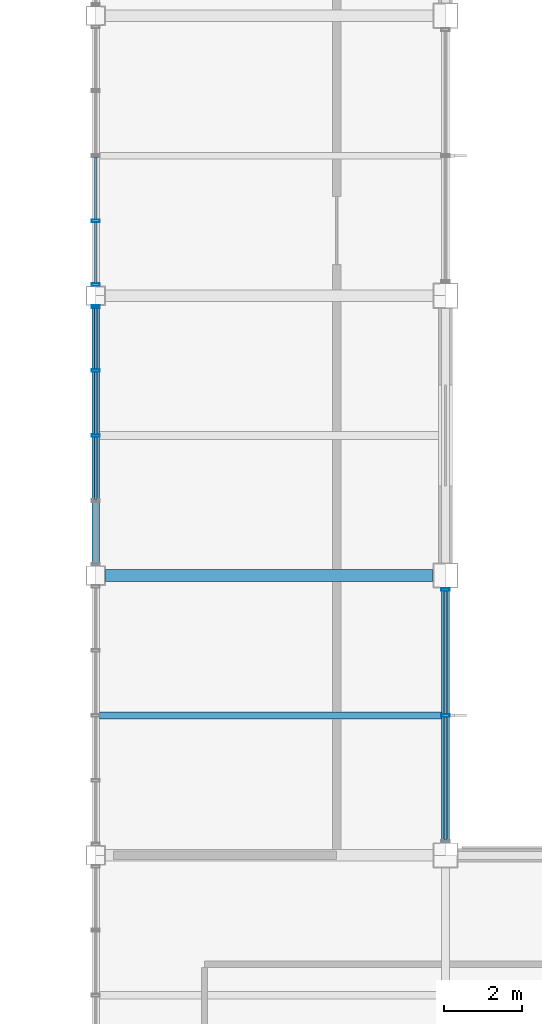
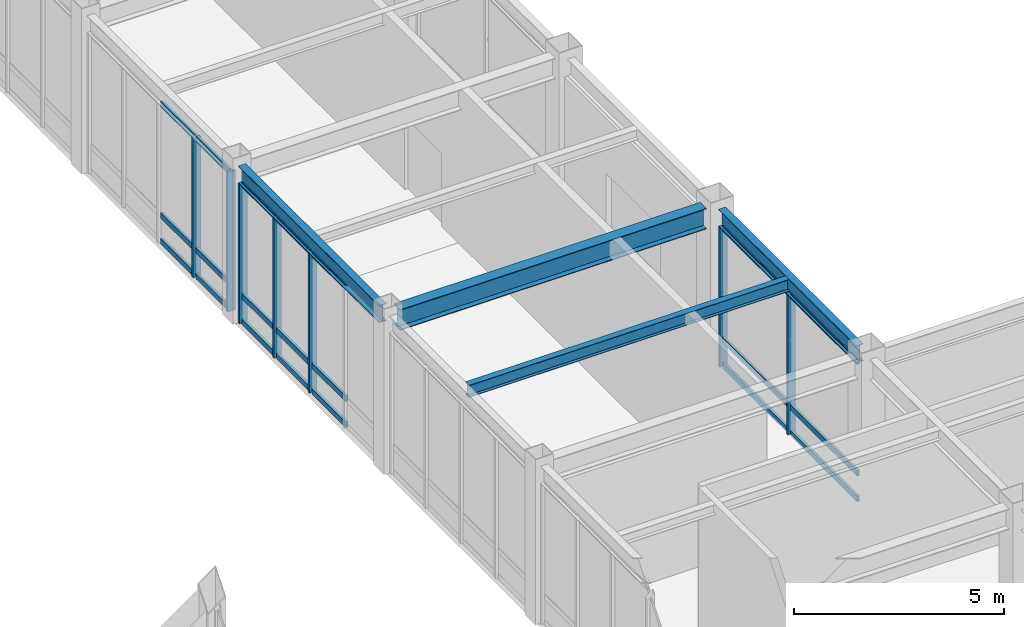
# One storey, part 31 of 112: 28 members, 4 beams, 3 elements without a shape of their own.
"""IFC4 building model written with IfcOpenShell, lengths in metres."""

from ifc_helpers import new_model, si_unit, direction, frame, origin, origin_2d, place, context, subcontext, project, spatial, hollow_rectangle, i_section, extrude, material, material_profile, profile_set, type_object, element, aggregate, save


model = new_model("IFC4")

# Units and contexts
model_context = context("Model", 3, precision=1e-05, world=origin(), true_north=direction((0.0, 1.0)))
body_context = subcontext(model_context, "Body", "Model", "MODEL_VIEW")
ifc_project = project(units=[si_unit("LENGTHUNIT", "METRE"), si_unit("AREAUNIT", "SQUARE_METRE"), si_unit("VOLUMEUNIT", "CUBIC_METRE"), si_unit("PLANEANGLEUNIT", "RADIAN"), si_unit("MASSUNIT", "GRAM", prefix="KILO")], contexts=[model_context])

# Site, building, storey
site_placement = place(None, origin())
site = spatial("IfcSite", under=ifc_project, at=site_placement, CompositionType="ELEMENT")
building_placement = place(site_placement, origin())
building = spatial("IfcBuilding", under=site, at=building_placement, Name="Kazanami Central Library", CompositionType="ELEMENT")
storey_placement = place(building_placement, origin())
storey = spatial("IfcBuildingStorey", under=building, at=storey_placement, Name="L01", CompositionType="ELEMENT", Elevation=0.0)

# Beams
ifc_material_1 = material(Name="Steel SN400B (235 MPa)", Category="steel")
ifc_material_profile_1 = material_profile(ifc_material_1, i_section(OverallWidth=0.175048828125, OverallDepth=0.35009765625, WebThickness=0.007080078125, FlangeThickness=0.010986328125, at=origin_2d()), Name="H-350x175x7x11")
ifc_profile_set_1 = profile_set([ifc_material_profile_1], Name="Steel SN400B (235 MPa)")
beam_type_1 = type_object("IfcBeamType", Name="BM-B-S2", PredefinedType="JOIST", material=ifc_profile_set_1)
beam_1_placement = place(storey_placement, frame((45.097900390625, 39.60009765625, 4.3798828125), z_axis=(1.0, 0.0, 0.0), x_axis=(0.0, 1.0, 0.0)))
element("IfcBeam", 1, at=beam_1_placement, inside=storey, type_object=beam_type_1, Name="Composite Secondary Joist B-S2 L01 Bay 6/F.1", PredefinedType="JOIST", context=body_context, shape_type="SweptSolid", body=[
    extrude(i_section(OverallWidth=0.175048828125, OverallDepth=0.35009765625, WebThickness=0.007080078125, FlangeThickness=0.010986328125, at=origin_2d()), origin(), (0.0, 0.0, 1.0), 8.80419921875),
])
ifc_material_2 = material(Name="Steel SN490B (325 MPa)", Category="steel")
ifc_material_profile_2 = material_profile(ifc_material_2, i_section(OverallWidth=0.300048828125, OverallDepth=0.60009765625, WebThickness=0.011962890625, FlangeThickness=0.02001953125, at=origin_2d()), Name="H-600x300x12x20")
ifc_profile_set_2 = profile_set([ifc_material_profile_2], Name="Steel SN490B (325 MPa)")
beam_type_2 = type_object("IfcBeamType", Name="BM-G-X1", PredefinedType="BEAM", material=ifc_profile_set_2)
beam_2_placement = place(storey_placement, frame((45.248046875, 43.199951171875, 4.2548828125), z_axis=(1.0, 0.0, 0.0), x_axis=(0.0, 1.0, 0.0)))
element("IfcBeam", 2, at=beam_2_placement, inside=storey, type_object=beam_type_2, Name="Girder G-X1 L01 G/6-7", PredefinedType="BEAM", context=body_context, shape_type="SweptSolid", body=[
    extrude(i_section(OverallWidth=0.300048828125, OverallDepth=0.60009765625, WebThickness=0.011962890625, FlangeThickness=0.02001953125, at=origin_2d()), origin(), (0.0, 0.0, 1.0), 8.428955078125),
])
ifc_material_profile_3 = material_profile(ifc_material_2, i_section(OverallWidth=0.199951171875, OverallDepth=0.5, WebThickness=0.010009765625, FlangeThickness=0.01611328125, at=origin_2d()), Name="H-500x200x10x16")
ifc_profile_set_3 = profile_set([ifc_material_profile_3], Name="Steel SN490B (325 MPa)")
beam_type_3 = type_object("IfcBeamType", Name="BM-SP-1", PredefinedType="SPANDREL", material=ifc_profile_set_3)
beam_3_placement = place(storey_placement, frame((45.0, 43.447998046875, 4.304931640625), z_axis=(0.0, 1.0, 0.0), x_axis=(-1.0, 0.0, 0.0)))
element("IfcBeam", 3, at=beam_3_placement, inside=storey, type_object=beam_type_3, Name="Girder SP-1 L01 6/G-H", PredefinedType="SPANDREL", context=body_context, shape_type="SweptSolid", body=[
    extrude(i_section(OverallWidth=0.199951171875, OverallDepth=0.5, WebThickness=0.010009765625, FlangeThickness=0.01611328125, at=origin_2d()), origin(), (0.0, 0.0, 1.0), 6.7041015625),
])
beam_4_placement = place(storey_placement, frame((54.0, 36.322998046875, 4.304931640625), z_axis=(0.0, 1.0, 0.0), x_axis=(-1.0, 0.0, 0.0)))
element("IfcBeam", 4, at=beam_4_placement, inside=storey, type_object=beam_type_3, Name="Girder SP-1 L01 7/F-G", PredefinedType="SPANDREL", context=body_context, shape_type="SweptSolid", body=[
    extrude(i_section(OverallWidth=0.199951171875, OverallDepth=0.5, WebThickness=0.010009765625, FlangeThickness=0.01611328125, at=origin_2d()), origin(), (0.0, 0.0, 1.0), 6.553955078125),
])

# Curtain wall, members
ifc_material_3 = material(Name="Acid-Etched Low-E Laminated Glass", Category="glass")
curtain_wall_type_1 = type_object("IfcCurtainWallType", Name="CW-6700x4055-M180", PredefinedType="USERDEFINED", material=ifc_material_3)
curtain_wall_1_placement = place(storey_placement, origin())
curtain_wall_1 = element("IfcCurtainWall", 5, at=curtain_wall_1_placement, inside=storey, type_object=curtain_wall_type_1, Name="Covered Link Bridge Curtain Wall CW-09 L01 W-6-06", ObjectType="UNITISED CURTAIN WALL", PredefinedType="USERDEFINED")
ifc_material_4 = material(Name="Anodised Aluminium A6063-T5", Category="aluminium")
ifc_material_profile_4 = material_profile(ifc_material_4, hollow_rectangle(XDim=0.070068359375, YDim=0.2099609375, WallThickness=0.0048828125, at=origin_2d()), Name="ALU-MULL-70x210x5")
ifc_profile_set_4 = profile_set([ifc_material_profile_4], Name="Anodised Aluminium A6063-T5")
member_type_1 = type_object("IfcMemberType", Name="MEM-CW-M1", PredefinedType="MULLION", material=ifc_profile_set_4)
member_1_placement = place(storey_placement, frame((45.0, 46.800048828125, 0.0), z_axis=(0.0, 0.0, 1.0), x_axis=(0.0, 1.0, 0.0)))
member_1 = element("IfcMember", 6, at=member_1_placement, type_object=member_type_1, Name="CW-09 mullion 3", PredefinedType="MULLION", context=body_context, shape_type="SweptSolid", body=[
    extrude(hollow_rectangle(XDim=0.070068359375, YDim=0.2099609375, WallThickness=0.0048828125, at=origin_2d()), origin(), (0.0, 0.0, 1.0), 4.054931640625),
])
member_2_placement = place(storey_placement, frame((45.0, 48.47509765625, 0.0), z_axis=(0.0, 0.0, 1.0), x_axis=(0.0, 1.0, 0.0)))
member_2 = element("IfcMember", 7, at=member_2_placement, type_object=member_type_1, Name="CW-09 mullion 4", PredefinedType="MULLION", context=body_context, shape_type="SweptSolid", body=[
    extrude(hollow_rectangle(XDim=0.070068359375, YDim=0.2099609375, WallThickness=0.0048828125, at=origin_2d()), origin(), (0.0, 0.0, 1.0), 4.054931640625),
])
member_3_placement = place(storey_placement, frame((45.0, 50.114990234375, 0.0), z_axis=(0.0, 0.0, 1.0), x_axis=(0.0, 1.0, 0.0)))
member_3 = element("IfcMember", 8, at=member_3_placement, type_object=member_type_1, Name="CW-09 mullion 5", PredefinedType="MULLION", context=body_context, shape_type="SweptSolid", body=[
    extrude(hollow_rectangle(XDim=0.070068359375, YDim=0.2099609375, WallThickness=0.0048828125, at=origin_2d()), origin(), (0.0, 0.0, 1.0), 4.054931640625),
])

curtain_wall_2_placement = place(storey_placement, origin())
curtain_wall_2 = element("IfcCurtainWall", 9, at=curtain_wall_2_placement, inside=storey, type_object=curtain_wall_type_1, Name="Covered Link Bridge Curtain Wall CW-09 L01 W-6-07", ObjectType="UNITISED CURTAIN WALL", PredefinedType="USERDEFINED")
member_4_placement = place(storey_placement, frame((45.0, 50.68505859375, 0.0), z_axis=(0.0, 0.0, 1.0), x_axis=(0.0, 1.0, 0.0)))
member_4 = element("IfcMember", 10, at=member_4_placement, type_object=member_type_1, Name="CW-09 mullion 1", PredefinedType="MULLION", context=body_context, shape_type="SweptSolid", body=[
    extrude(hollow_rectangle(XDim=0.070068359375, YDim=0.2099609375, WallThickness=0.0048828125, at=origin_2d()), origin(), (0.0, 0.0, 1.0), 4.054931640625),
])
member_5_placement = place(storey_placement, frame((45.0, 52.324951171875, 0.0), z_axis=(0.0, 0.0, 1.0), x_axis=(0.0, 1.0, 0.0)))
member_5 = element("IfcMember", 11, at=member_5_placement, type_object=member_type_1, Name="CW-09 mullion 2", PredefinedType="MULLION", context=body_context, shape_type="SweptSolid", body=[
    extrude(hollow_rectangle(XDim=0.070068359375, YDim=0.2099609375, WallThickness=0.0048828125, at=origin_2d()), origin(), (0.0, 0.0, 1.0), 4.054931640625),
])

curtain_wall_type_2 = type_object("IfcCurtainWallType", Name="CW-6550x4055-M275", PredefinedType="USERDEFINED", material=ifc_material_3)
curtain_wall_3_placement = place(storey_placement, origin())
curtain_wall_3 = element("IfcCurtainWall", 12, at=curtain_wall_3_placement, inside=storey, type_object=curtain_wall_type_2, Name="Unitised Curtain Wall CW-10 L01 E-7-05", ObjectType="UNITISED CURTAIN WALL", PredefinedType="USERDEFINED")
member_6_placement = place(storey_placement, frame((54.0, 42.840087890625, 0.0), z_axis=(0.0, 0.0, 1.0), x_axis=(0.0, -1.0, 0.0)))
member_6 = element("IfcMember", 13, at=member_6_placement, type_object=member_type_1, Name="CW-10 mullion 1", PredefinedType="MULLION", context=body_context, shape_type="SweptSolid", body=[
    extrude(hollow_rectangle(XDim=0.070068359375, YDim=0.2099609375, WallThickness=0.0048828125, at=origin_2d()), origin(), (0.0, 0.0, 1.0), 4.054931640625),
])
member_7_placement = place(storey_placement, frame((54.0, 39.60009765625, 0.0), z_axis=(0.0, 0.0, 1.0), x_axis=(0.0, -1.0, 0.0)))
member_7 = element("IfcMember", 14, at=member_7_placement, type_object=member_type_1, Name="CW-10 mullion 2", PredefinedType="MULLION", context=body_context, shape_type="SweptSolid", body=[
    extrude(hollow_rectangle(XDim=0.070068359375, YDim=0.2099609375, WallThickness=0.0048828125, at=origin_2d()), origin(), (0.0, 0.0, 1.0), 4.054931640625),
])

# Member
ifc_material_profile_5 = material_profile(ifc_material_4, hollow_rectangle(XDim=0.070068359375, YDim=0.159912109375, WallThickness=0.00390625, at=origin_2d()), Name="ALU-TRAN-70x160x4")
ifc_profile_set_5 = profile_set([ifc_material_profile_5], Name="Anodised Aluminium A6063-T5")
member_type_2 = type_object("IfcMemberType", Name="MEM-CW-T1", PredefinedType="USERDEFINED", material=ifc_profile_set_5)
member_8_placement = place(storey_placement, frame((45.0, 45.159912109375, 0.034912109375), z_axis=(0.0, 1.0, 0.0), x_axis=(-1.0, 0.0, 0.0)))
member_8 = element("IfcMember", 15, at=member_8_placement, type_object=member_type_2, Name="CW-09 transom 2.1", ObjectType="TRANSOM", PredefinedType="USERDEFINED", context=body_context, shape_type="SweptSolid", body=[
    extrude(hollow_rectangle(XDim=0.070068359375, YDim=0.159912109375, WallThickness=0.00390625, at=origin_2d()), origin(), (0.0, 0.0, 1.0), 1.60498046875),
])

member_9_placement = place(storey_placement, frame((45.0, 45.159912109375, 0.780029296875), z_axis=(0.0, 1.0, 0.0), x_axis=(-1.0, 0.0, 0.0)))
member_9 = element("IfcMember", 16, at=member_9_placement, type_object=member_type_2, Name="CW-09 transom 2.2", ObjectType="TRANSOM", PredefinedType="USERDEFINED", context=body_context, shape_type="SweptSolid", body=[
    extrude(hollow_rectangle(XDim=0.070068359375, YDim=0.159912109375, WallThickness=0.00390625, at=origin_2d()), origin(), (0.0, 0.0, 1.0), 1.60498046875),
])

member_10_placement = place(storey_placement, frame((45.0, 45.159912109375, 4.02001953125), z_axis=(0.0, 1.0, 0.0), x_axis=(-1.0, 0.0, 0.0)))
member_10 = element("IfcMember", 17, at=member_10_placement, type_object=member_type_2, Name="CW-09 transom 2.3", ObjectType="TRANSOM", PredefinedType="USERDEFINED", context=body_context, shape_type="SweptSolid", body=[
    extrude(hollow_rectangle(XDim=0.070068359375, YDim=0.159912109375, WallThickness=0.00390625, at=origin_2d()), origin(), (0.0, 0.0, 1.0), 1.60498046875),
])

member_11_placement = place(storey_placement, frame((45.0, 46.8349609375, 0.034912109375), z_axis=(0.0, 1.0, 0.0), x_axis=(-1.0, 0.0, 0.0)))
member_11 = element("IfcMember", 18, at=member_11_placement, type_object=member_type_2, Name="CW-09 transom 3.1", ObjectType="TRANSOM", PredefinedType="USERDEFINED", context=body_context, shape_type="SweptSolid", body=[
    extrude(hollow_rectangle(XDim=0.070068359375, YDim=0.159912109375, WallThickness=0.00390625, at=origin_2d()), origin(), (0.0, 0.0, 1.0), 1.60498046875),
])

member_12_placement = place(storey_placement, frame((45.0, 46.8349609375, 0.780029296875), z_axis=(0.0, 1.0, 0.0), x_axis=(-1.0, 0.0, 0.0)))
member_12 = element("IfcMember", 19, at=member_12_placement, type_object=member_type_2, Name="CW-09 transom 3.2", ObjectType="TRANSOM", PredefinedType="USERDEFINED", context=body_context, shape_type="SweptSolid", body=[
    extrude(hollow_rectangle(XDim=0.070068359375, YDim=0.159912109375, WallThickness=0.00390625, at=origin_2d()), origin(), (0.0, 0.0, 1.0), 1.60498046875),
])

member_13_placement = place(storey_placement, frame((45.0, 46.8349609375, 4.02001953125), z_axis=(0.0, 1.0, 0.0), x_axis=(-1.0, 0.0, 0.0)))
member_13 = element("IfcMember", 20, at=member_13_placement, type_object=member_type_2, Name="CW-09 transom 3.3", ObjectType="TRANSOM", PredefinedType="USERDEFINED", context=body_context, shape_type="SweptSolid", body=[
    extrude(hollow_rectangle(XDim=0.070068359375, YDim=0.159912109375, WallThickness=0.00390625, at=origin_2d()), origin(), (0.0, 0.0, 1.0), 1.60498046875),
])

member_14_placement = place(storey_placement, frame((45.0, 48.510009765625, 0.034912109375), z_axis=(0.0, 1.0, 0.0), x_axis=(-1.0, 0.0, 0.0)))
member_14 = element("IfcMember", 21, at=member_14_placement, type_object=member_type_2, Name="CW-09 transom 4.1", ObjectType="TRANSOM", PredefinedType="USERDEFINED", context=body_context, shape_type="SweptSolid", body=[
    extrude(hollow_rectangle(XDim=0.070068359375, YDim=0.159912109375, WallThickness=0.00390625, at=origin_2d()), origin(), (0.0, 0.0, 1.0), 1.570068359375),
])

member_15_placement = place(storey_placement, frame((45.0, 48.510009765625, 0.780029296875), z_axis=(0.0, 1.0, 0.0), x_axis=(-1.0, 0.0, 0.0)))
member_15 = element("IfcMember", 22, at=member_15_placement, type_object=member_type_2, Name="CW-09 transom 4.2", ObjectType="TRANSOM", PredefinedType="USERDEFINED", context=body_context, shape_type="SweptSolid", body=[
    extrude(hollow_rectangle(XDim=0.070068359375, YDim=0.159912109375, WallThickness=0.00390625, at=origin_2d()), origin(), (0.0, 0.0, 1.0), 1.570068359375),
])

member_16_placement = place(storey_placement, frame((45.0, 48.510009765625, 4.02001953125), z_axis=(0.0, 1.0, 0.0), x_axis=(-1.0, 0.0, 0.0)))
member_16 = element("IfcMember", 23, at=member_16_placement, type_object=member_type_2, Name="CW-09 transom 4.3", ObjectType="TRANSOM", PredefinedType="USERDEFINED", context=body_context, shape_type="SweptSolid", body=[
    extrude(hollow_rectangle(XDim=0.070068359375, YDim=0.159912109375, WallThickness=0.00390625, at=origin_2d()), origin(), (0.0, 0.0, 1.0), 1.570068359375),
])

aggregate(curtain_wall_1, [member_1, member_2, member_3, member_8, member_9, member_10, member_11, member_12, member_13, member_14, member_15, member_16])

member_17_placement = place(storey_placement, frame((45.0, 50.719970703125, 0.034912109375), z_axis=(0.0, 1.0, 0.0), x_axis=(-1.0, 0.0, 0.0)))
member_17 = element("IfcMember", 24, at=member_17_placement, type_object=member_type_2, Name="CW-09 transom 1.1", ObjectType="TRANSOM", PredefinedType="USERDEFINED", context=body_context, shape_type="SweptSolid", body=[
    extrude(hollow_rectangle(XDim=0.070068359375, YDim=0.159912109375, WallThickness=0.00390625, at=origin_2d()), origin(), (0.0, 0.0, 1.0), 1.570068359375),
])

member_18_placement = place(storey_placement, frame((45.0, 50.719970703125, 0.780029296875), z_axis=(0.0, 1.0, 0.0), x_axis=(-1.0, 0.0, 0.0)))
member_18 = element("IfcMember", 25, at=member_18_placement, type_object=member_type_2, Name="CW-09 transom 1.2", ObjectType="TRANSOM", PredefinedType="USERDEFINED", context=body_context, shape_type="SweptSolid", body=[
    extrude(hollow_rectangle(XDim=0.070068359375, YDim=0.159912109375, WallThickness=0.00390625, at=origin_2d()), origin(), (0.0, 0.0, 1.0), 1.570068359375),
])

member_19_placement = place(storey_placement, frame((45.0, 50.719970703125, 4.02001953125), z_axis=(0.0, 1.0, 0.0), x_axis=(-1.0, 0.0, 0.0)))
member_19 = element("IfcMember", 26, at=member_19_placement, type_object=member_type_2, Name="CW-09 transom 1.3", ObjectType="TRANSOM", PredefinedType="USERDEFINED", context=body_context, shape_type="SweptSolid", body=[
    extrude(hollow_rectangle(XDim=0.070068359375, YDim=0.159912109375, WallThickness=0.00390625, at=origin_2d()), origin(), (0.0, 0.0, 1.0), 1.570068359375),
])

member_20_placement = place(storey_placement, frame((45.0, 52.360107421875, 0.034912109375), z_axis=(0.0, 1.0, 0.0), x_axis=(-1.0, 0.0, 0.0)))
member_20 = element("IfcMember", 27, at=member_20_placement, type_object=member_type_2, Name="CW-09 transom 2.1", ObjectType="TRANSOM", PredefinedType="USERDEFINED", context=body_context, shape_type="SweptSolid", body=[
    extrude(hollow_rectangle(XDim=0.070068359375, YDim=0.159912109375, WallThickness=0.00390625, at=origin_2d()), origin(), (0.0, 0.0, 1.0), 1.60498046875),
])

member_21_placement = place(storey_placement, frame((45.0, 52.360107421875, 0.780029296875), z_axis=(0.0, 1.0, 0.0), x_axis=(-1.0, 0.0, 0.0)))
member_21 = element("IfcMember", 28, at=member_21_placement, type_object=member_type_2, Name="CW-09 transom 2.2", ObjectType="TRANSOM", PredefinedType="USERDEFINED", context=body_context, shape_type="SweptSolid", body=[
    extrude(hollow_rectangle(XDim=0.070068359375, YDim=0.159912109375, WallThickness=0.00390625, at=origin_2d()), origin(), (0.0, 0.0, 1.0), 1.60498046875),
])

member_22_placement = place(storey_placement, frame((45.0, 52.360107421875, 4.02001953125), z_axis=(0.0, 1.0, 0.0), x_axis=(-1.0, 0.0, 0.0)))
member_22 = element("IfcMember", 29, at=member_22_placement, type_object=member_type_2, Name="CW-09 transom 2.3", ObjectType="TRANSOM", PredefinedType="USERDEFINED", context=body_context, shape_type="SweptSolid", body=[
    extrude(hollow_rectangle(XDim=0.070068359375, YDim=0.159912109375, WallThickness=0.00390625, at=origin_2d()), origin(), (0.0, 0.0, 1.0), 1.60498046875),
])

aggregate(curtain_wall_2, [member_4, member_5, member_17, member_18, member_19, member_20, member_21, member_22])

member_23_placement = place(storey_placement, frame((54.0, 42.804931640625, 0.034912109375), z_axis=(0.0, -1.0, 0.0), x_axis=(1.0, 0.0, 0.0)))
member_23 = element("IfcMember", 30, at=member_23_placement, type_object=member_type_2, Name="CW-10 transom 1.1", ObjectType="TRANSOM", PredefinedType="USERDEFINED", context=body_context, shape_type="SweptSolid", body=[
    extrude(hollow_rectangle(XDim=0.070068359375, YDim=0.159912109375, WallThickness=0.00390625, at=origin_2d()), origin(), (0.0, 0.0, 1.0), 3.169921875),
])

member_24_placement = place(storey_placement, frame((54.0, 42.804931640625, 0.780029296875), z_axis=(0.0, -1.0, 0.0), x_axis=(1.0, 0.0, 0.0)))
member_24 = element("IfcMember", 31, at=member_24_placement, type_object=member_type_2, Name="CW-10 transom 1.2", ObjectType="TRANSOM", PredefinedType="USERDEFINED", context=body_context, shape_type="SweptSolid", body=[
    extrude(hollow_rectangle(XDim=0.070068359375, YDim=0.159912109375, WallThickness=0.00390625, at=origin_2d()), origin(), (0.0, 0.0, 1.0), 3.169921875),
])

member_25_placement = place(storey_placement, frame((54.0, 42.804931640625, 4.02001953125), z_axis=(0.0, -1.0, 0.0), x_axis=(1.0, 0.0, 0.0)))
member_25 = element("IfcMember", 32, at=member_25_placement, type_object=member_type_2, Name="CW-10 transom 1.3", ObjectType="TRANSOM", PredefinedType="USERDEFINED", context=body_context, shape_type="SweptSolid", body=[
    extrude(hollow_rectangle(XDim=0.070068359375, YDim=0.159912109375, WallThickness=0.00390625, at=origin_2d()), origin(), (0.0, 0.0, 1.0), 3.169921875),
])

member_26_placement = place(storey_placement, frame((54.0, 39.56494140625, 0.034912109375), z_axis=(0.0, -1.0, 0.0), x_axis=(1.0, 0.0, 0.0)))
member_26 = element("IfcMember", 33, at=member_26_placement, type_object=member_type_2, Name="CW-10 transom 2.1", ObjectType="TRANSOM", PredefinedType="USERDEFINED", context=body_context, shape_type="SweptSolid", body=[
    extrude(hollow_rectangle(XDim=0.070068359375, YDim=0.159912109375, WallThickness=0.00390625, at=origin_2d()), origin(), (0.0, 0.0, 1.0), 3.169921875),
])

member_27_placement = place(storey_placement, frame((54.0, 39.56494140625, 0.780029296875), z_axis=(0.0, -1.0, 0.0), x_axis=(1.0, 0.0, 0.0)))
member_27 = element("IfcMember", 34, at=member_27_placement, type_object=member_type_2, Name="CW-10 transom 2.2", ObjectType="TRANSOM", PredefinedType="USERDEFINED", context=body_context, shape_type="SweptSolid", body=[
    extrude(hollow_rectangle(XDim=0.070068359375, YDim=0.159912109375, WallThickness=0.00390625, at=origin_2d()), origin(), (0.0, 0.0, 1.0), 3.169921875),
])

member_28_placement = place(storey_placement, frame((54.0, 39.56494140625, 4.02001953125), z_axis=(0.0, -1.0, 0.0), x_axis=(1.0, 0.0, 0.0)))
member_28 = element("IfcMember", 35, at=member_28_placement, type_object=member_type_2, Name="CW-10 transom 2.3", ObjectType="TRANSOM", PredefinedType="USERDEFINED", context=body_context, shape_type="SweptSolid", body=[
    extrude(hollow_rectangle(XDim=0.070068359375, YDim=0.159912109375, WallThickness=0.00390625, at=origin_2d()), origin(), (0.0, 0.0, 1.0), 3.169921875),
])

aggregate(curtain_wall_3, [member_6, member_7, member_23, member_24, member_25, member_26, member_27, member_28])

save(model, "model.ifc")
